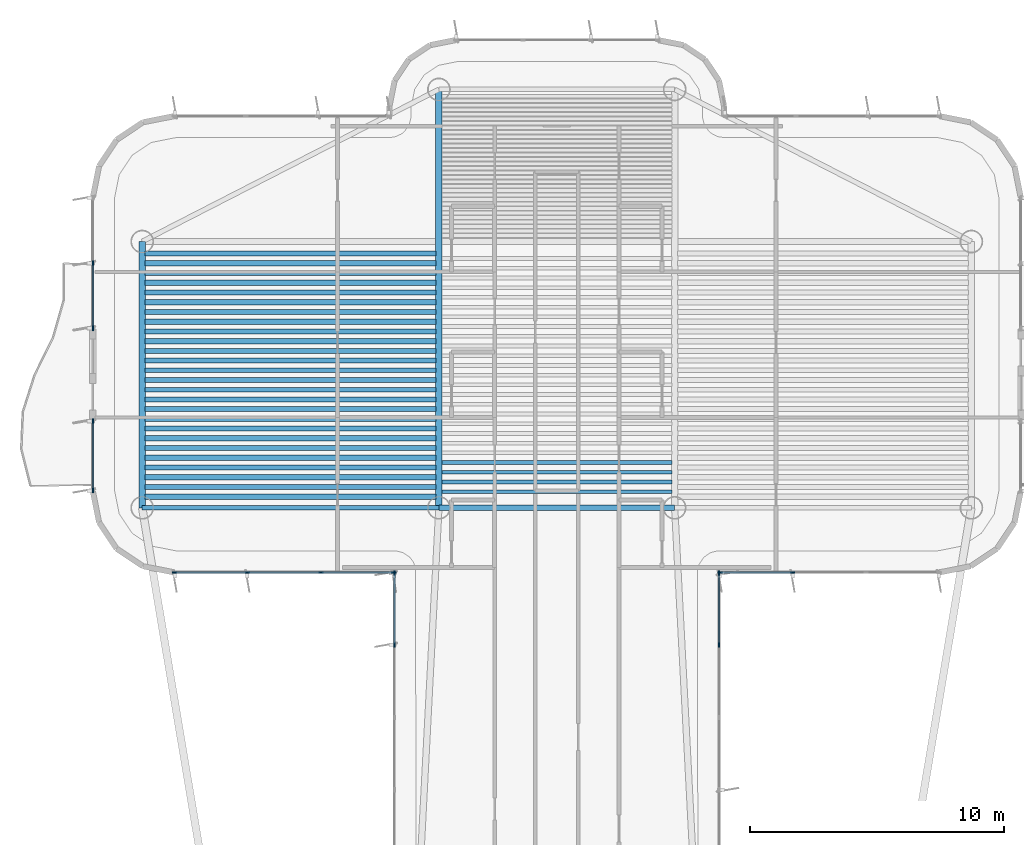
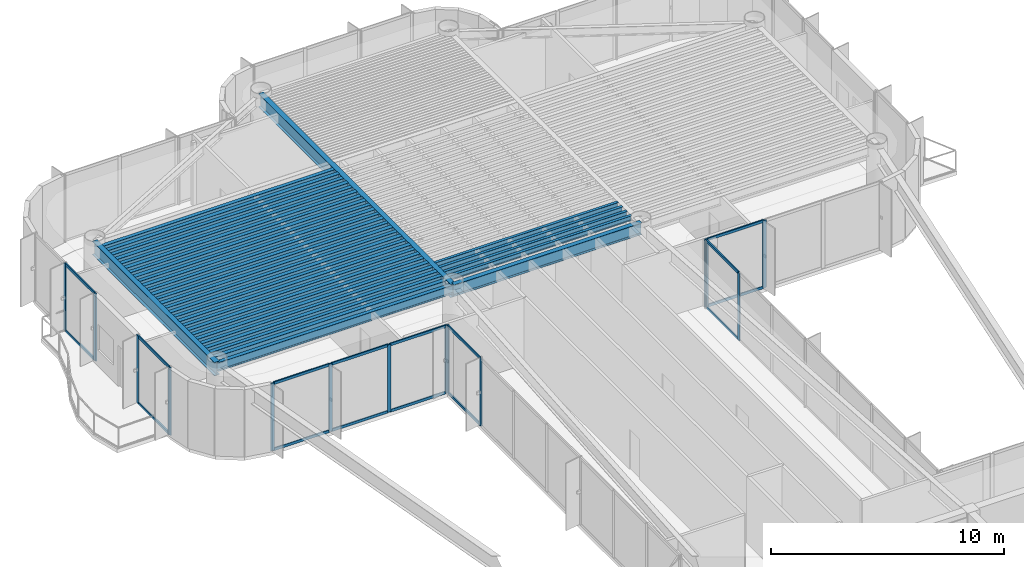
# One storey, part 5 of 16: 34 beams, 30 members, 6 elements without a shape of their own.
"""IFC4 building model written with IfcOpenShell, lengths in metres."""

from ifc_helpers import new_model, si_unit, direction, frame, origin, origin_2d, place, context, subcontext, project, spatial, rectangle, i_section, extrude, source, transform, mapped, material, layer, layer_set, material_profile, profile_set, type_object, element, aggregate, save


model = new_model("IFC4")

# Units and contexts
model_context = context("Model", 3, precision=1e-05, world=origin(), true_north=direction((0.0, 1.0)))
body_context = subcontext(model_context, "Body", "Model", "MODEL_VIEW")
ifc_project = project(units=[si_unit("LENGTHUNIT", "METRE"), si_unit("AREAUNIT", "SQUARE_METRE"), si_unit("VOLUMEUNIT", "CUBIC_METRE"), si_unit("PLANEANGLEUNIT", "RADIAN"), si_unit("MASSUNIT", "GRAM", prefix="KILO")], contexts=[model_context])

# Site, building, storey
site_placement = place(None, origin())
site = spatial("IfcSite", under=ifc_project, at=site_placement, CompositionType="ELEMENT")
building_placement = place(site_placement, origin())
building = spatial("IfcBuilding", under=site, at=building_placement, Name="Brelvock Crest Care Tower", CompositionType="ELEMENT")
storey_placement = place(building_placement, frame((0.0, 0.0, 238.139892578125)))
storey = spatial("IfcBuildingStorey", under=building, at=storey_placement, Name="L60", CompositionType="ELEMENT", Elevation=238.139892578125)

# Beams
ifc_material_1 = material(Name="Steel Grade 350", Category="steel")
ifc_material_profile_1 = material_profile(ifc_material_1, i_section(OverallWidth=0.25, OverallDepth=0.699951171875, WebThickness=0.011962890625, FlangeThickness=0.02001953125, at=origin_2d()), Name="700WB150")
ifc_profile_set_1 = profile_set([ifc_material_profile_1], Name="Steel Grade 350")
beam_type_1 = type_object("IfcBeamType", Name="BM-G4", PredefinedType="BEAM", material=ifc_profile_set_1)
shared_shape_1 = source(origin(), body_context, "Body", "SweptSolid", [
    extrude(i_section(OverallWidth=0.25, OverallDepth=0.699951171875, WebThickness=0.011962890625, FlangeThickness=0.02001953125, at=origin_2d()), origin(), (0.0, 0.0, 1.0), 10.5),
])
beam_1_placement = place(storey_placement, frame((19.64990234375, 43.949951171875, 3.18017578125), z_axis=(0.0, 1.0, 0.0), x_axis=(-1.0, 0.0, 0.0)))
element("IfcBeam", 1, at=beam_1_placement, inside=storey, type_object=beam_type_1, Name="BM-TWR-L60-01", PredefinedType="BEAM", context=body_context, shape_type="MappedRepresentation", body=[
    mapped(shared_shape_1, transform((0.0, 0.0, 0.0), x_axis=(1.0, 0.0, 0.0), y_axis=(0.0, 1.0, 0.0), z_axis=(0.0, 0.0, 1.0), scale=1.0)),
])
ifc_material_profile_2 = material_profile(ifc_material_1, i_section(OverallWidth=0.22900390625, OverallDepth=0.612060546875, WebThickness=0.011962890625, FlangeThickness=0.01953125, FilletRadius=0.013916015625, at=origin_2d()), Name="610UB125")
ifc_profile_set_2 = profile_set([ifc_material_profile_2], Name="Steel Grade 350")
beam_type_2 = type_object("IfcBeamType", Name="BM-G1", PredefinedType="BEAM", material=ifc_profile_set_2)
shared_shape_2 = source(origin(), body_context, "Body", "SweptSolid", [
    extrude(i_section(OverallWidth=0.22900390625, OverallDepth=0.612060546875, WebThickness=0.011962890625, FlangeThickness=0.01953125, FilletRadius=0.013916015625, at=origin_2d()), origin(), (0.0, 0.0, 1.0), 9.2998046875),
])
beam_2_placement = place(storey_placement, frame((31.35009765625, 43.949951171875, 3.22412109375), z_axis=(1.0, 0.0, 0.0), x_axis=(0.0, 1.0, 0.0)))
element("IfcBeam", 2, at=beam_2_placement, inside=storey, type_object=beam_type_2, Name="BM-TWR-L60-05", PredefinedType="BEAM", context=body_context, shape_type="MappedRepresentation", body=[
    mapped(shared_shape_2, transform((0.0, 0.0, 0.0), x_axis=(1.0, 0.0, 0.0), y_axis=(0.0, 1.0, 0.0), z_axis=(0.0, 0.0, 1.0), scale=1.0)),
])
ifc_material_profile_3 = material_profile(ifc_material_1, i_section(OverallWidth=0.14599609375, OverallDepth=0.256103515625, WebThickness=0.00634765625, FlangeThickness=0.010986328125, FilletRadius=0.0087890625, at=origin_2d()), Name="250UB37.3")
ifc_profile_set_3 = profile_set([ifc_material_profile_3], Name="Steel Grade 350")
beam_type_3 = type_object("IfcBeamType", Name="BM-J3", PredefinedType="JOIST", material=ifc_profile_set_3)
shared_shape_3 = source(origin(), body_context, "Body", "SweptSolid", [
    extrude(i_section(OverallWidth=0.14599609375, OverallDepth=0.256103515625, WebThickness=0.00634765625, FlangeThickness=0.010986328125, FilletRadius=0.0087890625, at=origin_2d()), origin(), (0.0, 0.0, 1.0), 9.06982421875),
])
for number, where, z_axis, x_axis, name in (
    (3, (31.465087890625, 44.58251953125, 3.402099609375), (1.0, 0.0, 0.0), (0.0, 1.0, 0.0), "BM-JH-L60-1"),
    (4, (31.465087890625, 44.9658203125, 3.402099609375), (1.0, 0.0, 0.0), (0.0, 1.0, 0.0), "BM-JH-L60-2"),
    (5, (31.465087890625, 45.34912109375, 3.402099609375), (1.0, 0.0, 0.0), (0.0, 1.0, 0.0), "BM-JH-L60-3"),
    (6, (31.465087890625, 45.732421875, 3.402099609375), (1.0, 0.0, 0.0), (0.0, 1.0, 0.0), "BM-JH-L60-4"),
):
    element("IfcBeam", number, at=place(storey_placement, frame(where, z_axis=z_axis, x_axis=x_axis)), inside=storey, type_object=beam_type_3, Name=name, PredefinedType="JOIST", context=body_context, shape_type="MappedRepresentation", body=[
        mapped(shared_shape_3, transform((0.0, 0.0, 0.0), x_axis=(1.0, 0.0, 0.0), y_axis=(0.0, 1.0, 0.0), z_axis=(0.0, 0.0, 1.0), scale=1.0)),
    ])
ifc_material_profile_4 = material_profile(ifc_material_1, i_section(OverallWidth=0.19091796875, OverallDepth=0.4599609375, WebThickness=0.010009765625, FlangeThickness=0.01611328125, FilletRadius=0.011474609375, at=origin_2d()), Name="460UB82.1")
ifc_profile_set_4 = profile_set([ifc_material_profile_4], Name="Steel Grade 350")
beam_type_4 = type_object("IfcBeamType", Name="BM-G3", PredefinedType="BEAM", material=ifc_profile_set_4)
shared_shape_4 = source(origin(), body_context, "Body", "SweptSolid", [
    extrude(i_section(OverallWidth=0.19091796875, OverallDepth=0.4599609375, WebThickness=0.010009765625, FlangeThickness=0.01611328125, FilletRadius=0.011474609375, at=origin_2d()), origin(), (0.0, 0.0, 1.0), 11.47021484375),
])
for number, where, z_axis, x_axis, name in (
    (7, (19.764892578125, 44.7744140625, 3.300048828125), (1.0, 0.0, 0.0), (0.0, 1.0, 0.0), "BM-JW-L60-2"),
    (8, (19.764892578125, 45.540771484375, 3.300048828125), (1.0, 0.0, 0.0), (0.0, 1.0, 0.0), "BM-JW-L60-4"),
    (9, (19.764892578125, 46.307373046875, 3.300048828125), (1.0, 0.0, 0.0), (0.0, 1.0, 0.0), "BM-JW-L60-6"),
    (10, (19.764892578125, 47.07373046875, 3.300048828125), (1.0, 0.0, 0.0), (0.0, 1.0, 0.0), "BM-JW-L60-8"),
    (11, (19.764892578125, 47.84033203125, 3.300048828125), (1.0, 0.0, 0.0), (0.0, 1.0, 0.0), "BM-JW-L60-10"),
    (12, (19.764892578125, 48.606689453125, 3.300048828125), (1.0, 0.0, 0.0), (0.0, 1.0, 0.0), "BM-JW-L60-12"),
    (13, (19.764892578125, 49.373291015625, 3.300048828125), (1.0, 0.0, 0.0), (0.0, 1.0, 0.0), "BM-JW-L60-14"),
    (14, (19.764892578125, 50.139892578125, 3.300048828125), (1.0, 0.0, 0.0), (0.0, 1.0, 0.0), "BM-JW-L60-16"),
    (15, (19.764892578125, 50.90625, 3.300048828125), (1.0, 0.0, 0.0), (0.0, 1.0, 0.0), "BM-JW-L60-18"),
    (16, (19.764892578125, 51.6728515625, 3.300048828125), (1.0, 0.0, 0.0), (0.0, 1.0, 0.0), "BM-JW-L60-20"),
    (17, (19.764892578125, 52.439208984375, 3.300048828125), (1.0, 0.0, 0.0), (0.0, 1.0, 0.0), "BM-JW-L60-22"),
    (18, (19.764892578125, 53.205810546875, 3.300048828125), (1.0, 0.0, 0.0), (0.0, 1.0, 0.0), "BM-JW-L60-24"),
    (19, (19.764892578125, 53.972412109375, 3.300048828125), (1.0, 0.0, 0.0), (0.0, 1.0, 0.0), "BM-JW-L60-26"),
):
    element("IfcBeam", number, at=place(storey_placement, frame(where, z_axis=z_axis, x_axis=x_axis)), inside=storey, type_object=beam_type_4, Name=name, PredefinedType="BEAM", context=body_context, shape_type="MappedRepresentation", body=[
        mapped(shared_shape_4, transform((0.0, 0.0, 0.0), x_axis=(1.0, 0.0, 0.0), y_axis=(0.0, 1.0, 0.0), z_axis=(0.0, 0.0, 1.0), scale=1.0)),
    ])
ifc_material_profile_5 = material_profile(ifc_material_1, i_section(OverallWidth=0.208984375, OverallDepth=0.532958984375, WebThickness=0.01025390625, FlangeThickness=0.015625, FilletRadius=0.013916015625, at=origin_2d()), Name="530UB92.4")
ifc_profile_set_5 = profile_set([ifc_material_profile_5], Name="Steel Grade 350")
beam_type_5 = type_object("IfcBeamType", Name="BM-G2", PredefinedType="BEAM", material=ifc_profile_set_5)
shared_shape_5 = source(origin(), body_context, "Body", "SweptSolid", [
    extrude(i_section(OverallWidth=0.208984375, OverallDepth=0.532958984375, WebThickness=0.01025390625, FlangeThickness=0.015625, FilletRadius=0.013916015625, at=origin_2d()), origin(), (0.0, 0.0, 1.0), 11.47021484375),
])
for number, where, z_axis, x_axis, name in (
    (20, (19.764892578125, 44.39111328125, 3.263671875), (1.0, 0.0, 0.0), (0.0, 1.0, 0.0), "BM-JW-L60-1"),
    (21, (19.764892578125, 45.157470703125, 3.263671875), (1.0, 0.0, 0.0), (0.0, 1.0, 0.0), "BM-JW-L60-3"),
    (22, (19.764892578125, 45.924072265625, 3.263671875), (1.0, 0.0, 0.0), (0.0, 1.0, 0.0), "BM-JW-L60-5"),
    (23, (19.764892578125, 46.6904296875, 3.263671875), (1.0, 0.0, 0.0), (0.0, 1.0, 0.0), "BM-JW-L60-7"),
    (24, (19.764892578125, 47.45703125, 3.263671875), (1.0, 0.0, 0.0), (0.0, 1.0, 0.0), "BM-JW-L60-9"),
    (25, (19.764892578125, 48.223388671875, 3.263671875), (1.0, 0.0, 0.0), (0.0, 1.0, 0.0), "BM-JW-L60-11"),
    (26, (19.764892578125, 48.989990234375, 3.263671875), (1.0, 0.0, 0.0), (0.0, 1.0, 0.0), "BM-JW-L60-13"),
    (27, (19.764892578125, 49.756591796875, 3.263671875), (1.0, 0.0, 0.0), (0.0, 1.0, 0.0), "BM-JW-L60-15"),
    (28, (19.764892578125, 50.52294921875, 3.263671875), (1.0, 0.0, 0.0), (0.0, 1.0, 0.0), "BM-JW-L60-17"),
    (29, (19.764892578125, 51.28955078125, 3.263671875), (1.0, 0.0, 0.0), (0.0, 1.0, 0.0), "BM-JW-L60-19"),
    (30, (19.764892578125, 52.055908203125, 3.263671875), (1.0, 0.0, 0.0), (0.0, 1.0, 0.0), "BM-JW-L60-21"),
    (31, (19.764892578125, 52.822509765625, 3.263671875), (1.0, 0.0, 0.0), (0.0, 1.0, 0.0), "BM-JW-L60-23"),
    (32, (19.764892578125, 53.589111328125, 3.263671875), (1.0, 0.0, 0.0), (0.0, 1.0, 0.0), "BM-JW-L60-25"),
):
    element("IfcBeam", number, at=place(storey_placement, frame(where, z_axis=z_axis, x_axis=x_axis)), inside=storey, type_object=beam_type_5, Name=name, PredefinedType="BEAM", context=body_context, shape_type="MappedRepresentation", body=[
        mapped(shared_shape_5, transform((0.0, 0.0, 0.0), x_axis=(1.0, 0.0, 0.0), y_axis=(0.0, 1.0, 0.0), z_axis=(0.0, 0.0, 1.0), scale=1.0)),
    ])
ifc_material_profile_6 = material_profile(ifc_material_1, i_section(OverallWidth=0.19091796875, OverallDepth=0.4599609375, WebThickness=0.010009765625, FlangeThickness=0.01611328125, FilletRadius=0.011474609375, at=origin_2d()), Name="460UB82.1")
ifc_profile_set_6 = profile_set([ifc_material_profile_6], Name="Steel Grade 350")
beam_type_6 = type_object("IfcBeamType", Name="BM-SP2", PredefinedType="SPANDREL", material=ifc_profile_set_6)
shared_shape_6 = source(origin(), body_context, "Body", "SweptSolid", [
    extrude(i_section(OverallWidth=0.19091796875, OverallDepth=0.4599609375, WebThickness=0.010009765625, FlangeThickness=0.01611328125, FilletRadius=0.011474609375, at=origin_2d()), origin(), (0.0, 0.0, 1.0), 11.7001953125),
])
beam_3_placement = place(storey_placement, frame((19.64990234375, 43.949951171875, 3.300048828125), z_axis=(1.0, 0.0, 0.0), x_axis=(0.0, 1.0, 0.0)))
element("IfcBeam", 33, at=beam_3_placement, inside=storey, type_object=beam_type_6, Name="BM-TWR-L60-03", PredefinedType="SPANDREL", context=body_context, shape_type="MappedRepresentation", body=[
    mapped(shared_shape_6, transform((0.0, 0.0, 0.0), x_axis=(1.0, 0.0, 0.0), y_axis=(0.0, 1.0, 0.0), z_axis=(0.0, 0.0, 1.0), scale=1.0)),
])
shared_shape_7 = source(origin(), body_context, "Body", "SweptSolid", [
    extrude(i_section(OverallWidth=0.25, OverallDepth=0.699951171875, WebThickness=0.011962890625, FlangeThickness=0.02001953125, at=origin_2d()), origin(), (0.0, 0.0, 1.0), 16.5),
])
beam_4_placement = place(storey_placement, frame((31.35009765625, 43.949951171875, 3.18017578125), z_axis=(0.0, 1.0, 0.0), x_axis=(-1.0, 0.0, 0.0)))
element("IfcBeam", 34, at=beam_4_placement, inside=storey, type_object=beam_type_1, Name="BM-TWR-L60-09", PredefinedType="BEAM", context=body_context, shape_type="MappedRepresentation", body=[
    mapped(shared_shape_7, transform((0.0, 0.0, 0.0), x_axis=(1.0, 0.0, 0.0), y_axis=(0.0, 1.0, 0.0), z_axis=(0.0, 0.0, 1.0), scale=1.0)),
])

# Curtain wall, members
ifc_material_2 = material(Name="Dark Glass Double Glazed Low-E", Category="glass")
ifc_layer = layer(ifc_material_2, 0.239990234375, Name="CWS-5")
ifc_layer_set = layer_set([ifc_layer], Name="Dark Glass Double Glazed Low-E")
curtain_wall_type = type_object("IfcCurtainWallType", Name="CWS-5", PredefinedType="NOTDEFINED", material=ifc_layer_set)
curtain_wall_1_placement = place(storey_placement, origin())
curtain_wall_1 = element("IfcCurtainWall", 35, at=curtain_wall_1_placement, inside=storey, type_object=curtain_wall_type, Name="L60 Curtain Wall E11", PredefinedType="NOTDEFINED")
ifc_material_3 = material(Name="Aluminium 6063-T6", Category="aluminium")
ifc_material_profile_7 = material_profile(ifc_material_3, rectangle(XDim=0.06005859375, YDim=0.179931640625, at=origin_2d()), Name="ALU60x180")
ifc_profile_set_7 = profile_set([ifc_material_profile_7], Name="Aluminium 6063-T6")
member_type_1 = type_object("IfcMemberType", Name="CWM-2", PredefinedType="MULLION", material=ifc_profile_set_7)
shared_shape_8 = source(origin(), body_context, "Body", "SweptSolid", [
    extrude(rectangle(XDim=0.06005859375, YDim=0.179931640625, at=origin_2d()), origin(), (0.0, 0.0, 1.0), 3.530029296875),
])
member_1_placement = place(storey_placement, frame((29.60009765625, 38.54296875, 0.0), z_axis=(0.0, 0.0, 1.0), x_axis=(-1.0, 0.0, 0.0)))
member_1 = element("IfcMember", 36, at=member_1_placement, type_object=member_type_1, Name="CW-5 mullion 7", PredefinedType="MULLION", context=body_context, shape_type="MappedRepresentation", body=[
    mapped(shared_shape_8, transform((0.0, 0.0, 0.0), x_axis=(1.0, 0.0, 0.0), y_axis=(0.0, 1.0, 0.0), z_axis=(0.0, 0.0, 1.0), scale=1.0)),
])
member_2_placement = place(storey_placement, frame((29.60009765625, 41.3701171875, 0.0), z_axis=(0.0, 0.0, 1.0), x_axis=(-1.0, 0.0, 0.0)))
member_2 = element("IfcMember", 37, at=member_2_placement, type_object=member_type_1, Name="CW-5 mullion 8", PredefinedType="MULLION", context=body_context, shape_type="MappedRepresentation", body=[
    mapped(shared_shape_8, transform((0.0, 0.0, 0.0), x_axis=(1.0, 0.0, 0.0), y_axis=(0.0, 1.0, 0.0), z_axis=(0.0, 0.0, 1.0), scale=1.0)),
])

curtain_wall_2_placement = place(storey_placement, origin())
curtain_wall_2 = element("IfcCurtainWall", 38, at=curtain_wall_2_placement, inside=storey, type_object=curtain_wall_type, Name="L60 Curtain Wall E12", PredefinedType="NOTDEFINED")
member_3_placement = place(storey_placement, frame((29.570068359375, 41.39990234375, 0.0), z_axis=(0.0, 0.0, 1.0), x_axis=(0.0, -1.0, 0.0)))
member_3 = element("IfcMember", 39, at=member_3_placement, type_object=member_type_1, Name="CW-5 mullion 1", PredefinedType="MULLION", context=body_context, shape_type="MappedRepresentation", body=[
    mapped(shared_shape_8, transform((0.0, 0.0, 0.0), x_axis=(1.0, 0.0, 0.0), y_axis=(0.0, 1.0, 0.0), z_axis=(0.0, 0.0, 1.0), scale=1.0)),
])
member_4_placement = place(storey_placement, frame((26.699951171875, 41.39990234375, 0.0), z_axis=(0.0, 0.0, 1.0), x_axis=(0.0, -1.0, 0.0)))
member_4 = element("IfcMember", 40, at=member_4_placement, type_object=member_type_1, Name="CW-5 mullion 2", PredefinedType="MULLION", context=body_context, shape_type="MappedRepresentation", body=[
    mapped(shared_shape_8, transform((0.0, 0.0, 0.0), x_axis=(1.0, 0.0, 0.0), y_axis=(0.0, 1.0, 0.0), z_axis=(0.0, 0.0, 1.0), scale=1.0)),
])
member_5_placement = place(storey_placement, frame((23.800048828125, 41.39990234375, 0.0), z_axis=(0.0, 0.0, 1.0), x_axis=(0.0, -1.0, 0.0)))
member_5 = element("IfcMember", 41, at=member_5_placement, type_object=member_type_1, Name="CW-5 mullion 3", PredefinedType="MULLION", context=body_context, shape_type="MappedRepresentation", body=[
    mapped(shared_shape_8, transform((0.0, 0.0, 0.0), x_axis=(1.0, 0.0, 0.0), y_axis=(0.0, 1.0, 0.0), z_axis=(0.0, 0.0, 1.0), scale=1.0)),
])
member_6_placement = place(storey_placement, frame((20.929931640625, 41.39990234375, 0.0), z_axis=(0.0, 0.0, 1.0), x_axis=(0.0, -1.0, 0.0)))
member_6 = element("IfcMember", 42, at=member_6_placement, type_object=member_type_1, Name="CW-5 mullion 4", PredefinedType="MULLION", context=body_context, shape_type="MappedRepresentation", body=[
    mapped(shared_shape_8, transform((0.0, 0.0, 0.0), x_axis=(1.0, 0.0, 0.0), y_axis=(0.0, 1.0, 0.0), z_axis=(0.0, 0.0, 1.0), scale=1.0)),
])

curtain_wall_3_placement = place(storey_placement, origin())
curtain_wall_3 = element("IfcCurtainWall", 43, at=curtain_wall_3_placement, inside=storey, type_object=curtain_wall_type, Name="L60 Curtain Wall E17A", PredefinedType="NOTDEFINED")
member_7_placement = place(storey_placement, frame((17.699951171875, 44.6298828125, 0.0), z_axis=(0.0, 0.0, 1.0), x_axis=(-1.0, 0.0, 0.0)))
member_7 = element("IfcMember", 44, at=member_7_placement, type_object=member_type_1, Name="CW-5 mullion 1", PredefinedType="MULLION", context=body_context, shape_type="MappedRepresentation", body=[
    mapped(shared_shape_8, transform((0.0, 0.0, 0.0), x_axis=(1.0, 0.0, 0.0), y_axis=(0.0, 1.0, 0.0), z_axis=(0.0, 0.0, 1.0), scale=1.0)),
])
member_8_placement = place(storey_placement, frame((17.699951171875, 47.3701171875, 0.0), z_axis=(0.0, 0.0, 1.0), x_axis=(-1.0, 0.0, 0.0)))
member_8 = element("IfcMember", 45, at=member_8_placement, type_object=member_type_1, Name="CW-5 mullion 2", PredefinedType="MULLION", context=body_context, shape_type="MappedRepresentation", body=[
    mapped(shared_shape_8, transform((0.0, 0.0, 0.0), x_axis=(1.0, 0.0, 0.0), y_axis=(0.0, 1.0, 0.0), z_axis=(0.0, 0.0, 1.0), scale=1.0)),
])

curtain_wall_4_placement = place(storey_placement, origin())
curtain_wall_4 = element("IfcCurtainWall", 46, at=curtain_wall_4_placement, inside=storey, type_object=curtain_wall_type, Name="L60 Curtain Wall E17B", PredefinedType="NOTDEFINED")
member_9_placement = place(storey_placement, frame((17.699951171875, 51.030029296875, 0.0), z_axis=(0.0, 0.0, 1.0), x_axis=(-1.0, 0.0, 0.0)))
member_9 = element("IfcMember", 47, at=member_9_placement, type_object=member_type_1, Name="CW-5 mullion 1", PredefinedType="MULLION", context=body_context, shape_type="MappedRepresentation", body=[
    mapped(shared_shape_8, transform((0.0, 0.0, 0.0), x_axis=(1.0, 0.0, 0.0), y_axis=(0.0, 1.0, 0.0), z_axis=(0.0, 0.0, 1.0), scale=1.0)),
])
member_10_placement = place(storey_placement, frame((17.699951171875, 53.60009765625, 0.0), z_axis=(0.0, 0.0, 1.0), x_axis=(-1.0, 0.0, 0.0)))
member_10 = element("IfcMember", 48, at=member_10_placement, type_object=member_type_1, Name="CW-5 mullion 2", PredefinedType="MULLION", context=body_context, shape_type="MappedRepresentation", body=[
    mapped(shared_shape_8, transform((0.0, 0.0, 0.0), x_axis=(1.0, 0.0, 0.0), y_axis=(0.0, 1.0, 0.0), z_axis=(0.0, 0.0, 1.0), scale=1.0)),
])

curtain_wall_5_placement = place(storey_placement, origin())
curtain_wall_5 = element("IfcCurtainWall", 49, at=curtain_wall_5_placement, inside=storey, type_object=curtain_wall_type, Name="L60 Curtain Wall E44", PredefinedType="NOTDEFINED")
member_11_placement = place(storey_placement, frame((45.300048828125, 41.39990234375, 0.0), z_axis=(0.0, 0.0, 1.0), x_axis=(0.0, -1.0, 0.0)))
member_11 = element("IfcMember", 50, at=member_11_placement, type_object=member_type_1, Name="CW-5 mullion 3", PredefinedType="MULLION", context=body_context, shape_type="MappedRepresentation", body=[
    mapped(shared_shape_8, transform((0.0, 0.0, 0.0), x_axis=(1.0, 0.0, 0.0), y_axis=(0.0, 1.0, 0.0), z_axis=(0.0, 0.0, 1.0), scale=1.0)),
])
member_12_placement = place(storey_placement, frame((42.429931640625, 41.39990234375, 0.0), z_axis=(0.0, 0.0, 1.0), x_axis=(0.0, -1.0, 0.0)))
member_12 = element("IfcMember", 51, at=member_12_placement, type_object=member_type_1, Name="CW-5 mullion 4", PredefinedType="MULLION", context=body_context, shape_type="MappedRepresentation", body=[
    mapped(shared_shape_8, transform((0.0, 0.0, 0.0), x_axis=(1.0, 0.0, 0.0), y_axis=(0.0, 1.0, 0.0), z_axis=(0.0, 0.0, 1.0), scale=1.0)),
])

curtain_wall_6_placement = place(storey_placement, origin())
curtain_wall_6 = element("IfcCurtainWall", 52, at=curtain_wall_6_placement, inside=storey, type_object=curtain_wall_type, Name="L60 Curtain Wall E45", PredefinedType="NOTDEFINED")
member_13_placement = place(storey_placement, frame((42.39990234375, 41.3701171875, 0.0), z_axis=(0.0, 0.0, 1.0), x_axis=(1.0, 0.0, 0.0)))
member_13 = element("IfcMember", 53, at=member_13_placement, type_object=member_type_1, Name="CW-5 mullion 1", PredefinedType="MULLION", context=body_context, shape_type="MappedRepresentation", body=[
    mapped(shared_shape_8, transform((0.0, 0.0, 0.0), x_axis=(1.0, 0.0, 0.0), y_axis=(0.0, 1.0, 0.0), z_axis=(0.0, 0.0, 1.0), scale=1.0)),
])
member_14_placement = place(storey_placement, frame((42.39990234375, 38.54296875, 0.0), z_axis=(0.0, 0.0, 1.0), x_axis=(1.0, 0.0, 0.0)))
member_14 = element("IfcMember", 54, at=member_14_placement, type_object=member_type_1, Name="CW-5 mullion 2", PredefinedType="MULLION", context=body_context, shape_type="MappedRepresentation", body=[
    mapped(shared_shape_8, transform((0.0, 0.0, 0.0), x_axis=(1.0, 0.0, 0.0), y_axis=(0.0, 1.0, 0.0), z_axis=(0.0, 0.0, 1.0), scale=1.0)),
])

# Member
ifc_material_profile_8 = material_profile(ifc_material_3, rectangle(XDim=0.06005859375, YDim=0.139892578125, at=origin_2d()), Name="ALU60x140")
ifc_profile_set_8 = profile_set([ifc_material_profile_8], Name="Aluminium 6063-T6")
member_type_2 = type_object("IfcMemberType", Name="CWT-2", PredefinedType="USERDEFINED", material=ifc_profile_set_8)
shared_shape_9 = source(origin(), body_context, "Body", "SweptSolid", [
    extrude(rectangle(XDim=0.06005859375, YDim=0.139892578125, at=origin_2d()), origin(), (0.0, 0.0, 1.0), 2.510009765625),
])
member_15_placement = place(storey_placement, frame((17.699951171875, 51.06005859375, 0.030029296875), z_axis=(0.0, 1.0, 0.0), x_axis=(-1.0, 0.0, 0.0)))
member_15 = element("IfcMember", 55, at=member_15_placement, type_object=member_type_2, Name="CW-5 transom 1.1", ObjectType="TRANSOM", PredefinedType="USERDEFINED", context=body_context, shape_type="MappedRepresentation", body=[
    mapped(shared_shape_9, transform((0.0, 0.0, 0.0), x_axis=(1.0, 0.0, 0.0), y_axis=(0.0, 1.0, 0.0), z_axis=(0.0, 0.0, 1.0), scale=1.0)),
])

member_16_placement = place(storey_placement, frame((17.699951171875, 51.06005859375, 3.5), z_axis=(0.0, 1.0, 0.0), x_axis=(-1.0, 0.0, 0.0)))
member_16 = element("IfcMember", 56, at=member_16_placement, type_object=member_type_2, Name="CW-5 transom 1.2", ObjectType="TRANSOM", PredefinedType="USERDEFINED", context=body_context, shape_type="MappedRepresentation", body=[
    mapped(shared_shape_9, transform((0.0, 0.0, 0.0), x_axis=(1.0, 0.0, 0.0), y_axis=(0.0, 1.0, 0.0), z_axis=(0.0, 0.0, 1.0), scale=1.0)),
])

aggregate(curtain_wall_4, [member_9, member_10, member_15, member_16])

shared_shape_10 = source(origin(), body_context, "Body", "SweptSolid", [
    extrude(rectangle(XDim=0.06005859375, YDim=0.139892578125, at=origin_2d()), origin(), (0.0, 0.0, 1.0), 2.767333984375),
])
member_17_placement = place(storey_placement, frame((29.60009765625, 38.57275390625, 0.030029296875), z_axis=(0.0, 1.0, 0.0), x_axis=(-1.0, 0.0, 0.0)))
member_17 = element("IfcMember", 57, at=member_17_placement, type_object=member_type_2, Name="CW-5 transom 7.1", ObjectType="TRANSOM", PredefinedType="USERDEFINED", context=body_context, shape_type="MappedRepresentation", body=[
    mapped(shared_shape_10, transform((0.0, 0.0, 0.0), x_axis=(1.0, 0.0, 0.0), y_axis=(0.0, 1.0, 0.0), z_axis=(0.0, 0.0, 1.0), scale=1.0)),
])

member_18_placement = place(storey_placement, frame((29.60009765625, 38.57275390625, 3.5), z_axis=(0.0, 1.0, 0.0), x_axis=(-1.0, 0.0, 0.0)))
member_18 = element("IfcMember", 58, at=member_18_placement, type_object=member_type_2, Name="CW-5 transom 7.2", ObjectType="TRANSOM", PredefinedType="USERDEFINED", context=body_context, shape_type="MappedRepresentation", body=[
    mapped(shared_shape_10, transform((0.0, 0.0, 0.0), x_axis=(1.0, 0.0, 0.0), y_axis=(0.0, 1.0, 0.0), z_axis=(0.0, 0.0, 1.0), scale=1.0)),
])

aggregate(curtain_wall_1, [member_1, member_2, member_17, member_18])

member_19_placement = place(storey_placement, frame((42.39990234375, 41.340087890625, 0.030029296875), z_axis=(0.0, -1.0, 0.0), x_axis=(1.0, 0.0, 0.0)))
member_19 = element("IfcMember", 59, at=member_19_placement, type_object=member_type_2, Name="CW-5 transom 1.1", ObjectType="TRANSOM", PredefinedType="USERDEFINED", context=body_context, shape_type="MappedRepresentation", body=[
    mapped(shared_shape_10, transform((0.0, 0.0, 0.0), x_axis=(1.0, 0.0, 0.0), y_axis=(0.0, 1.0, 0.0), z_axis=(0.0, 0.0, 1.0), scale=1.0)),
])

member_20_placement = place(storey_placement, frame((42.39990234375, 41.340087890625, 3.5), z_axis=(0.0, -1.0, 0.0), x_axis=(1.0, 0.0, 0.0)))
member_20 = element("IfcMember", 60, at=member_20_placement, type_object=member_type_2, Name="CW-5 transom 1.2", ObjectType="TRANSOM", PredefinedType="USERDEFINED", context=body_context, shape_type="MappedRepresentation", body=[
    mapped(shared_shape_10, transform((0.0, 0.0, 0.0), x_axis=(1.0, 0.0, 0.0), y_axis=(0.0, 1.0, 0.0), z_axis=(0.0, 0.0, 1.0), scale=1.0)),
])

aggregate(curtain_wall_6, [member_13, member_14, member_19, member_20])

shared_shape_11 = source(origin(), body_context, "Body", "SweptSolid", [
    extrude(rectangle(XDim=0.06005859375, YDim=0.139892578125, at=origin_2d()), origin(), (0.0, 0.0, 1.0), 2.81005859375),
])
member_21_placement = place(storey_placement, frame((29.5400390625, 41.39990234375, 0.030029296875), z_axis=(-1.0, 0.0, 0.0), x_axis=(0.0, -1.0, 0.0)))
member_21 = element("IfcMember", 61, at=member_21_placement, type_object=member_type_2, Name="CW-5 transom 1.1", ObjectType="TRANSOM", PredefinedType="USERDEFINED", context=body_context, shape_type="MappedRepresentation", body=[
    mapped(shared_shape_11, transform((0.0, 0.0, 0.0), x_axis=(1.0, 0.0, 0.0), y_axis=(0.0, 1.0, 0.0), z_axis=(0.0, 0.0, 1.0), scale=1.0)),
])

member_22_placement = place(storey_placement, frame((29.5400390625, 41.39990234375, 3.5), z_axis=(-1.0, 0.0, 0.0), x_axis=(0.0, -1.0, 0.0)))
member_22 = element("IfcMember", 62, at=member_22_placement, type_object=member_type_2, Name="CW-5 transom 1.2", ObjectType="TRANSOM", PredefinedType="USERDEFINED", context=body_context, shape_type="MappedRepresentation", body=[
    mapped(shared_shape_11, transform((0.0, 0.0, 0.0), x_axis=(1.0, 0.0, 0.0), y_axis=(0.0, 1.0, 0.0), z_axis=(0.0, 0.0, 1.0), scale=1.0)),
])

member_23_placement = place(storey_placement, frame((23.77001953125, 41.39990234375, 0.030029296875), z_axis=(-1.0, 0.0, 0.0), x_axis=(0.0, -1.0, 0.0)))
member_23 = element("IfcMember", 63, at=member_23_placement, type_object=member_type_2, Name="CW-5 transom 3.1", ObjectType="TRANSOM", PredefinedType="USERDEFINED", context=body_context, shape_type="MappedRepresentation", body=[
    mapped(shared_shape_11, transform((0.0, 0.0, 0.0), x_axis=(1.0, 0.0, 0.0), y_axis=(0.0, 1.0, 0.0), z_axis=(0.0, 0.0, 1.0), scale=1.0)),
])

member_24_placement = place(storey_placement, frame((23.77001953125, 41.39990234375, 3.5), z_axis=(-1.0, 0.0, 0.0), x_axis=(0.0, -1.0, 0.0)))
member_24 = element("IfcMember", 64, at=member_24_placement, type_object=member_type_2, Name="CW-5 transom 3.2", ObjectType="TRANSOM", PredefinedType="USERDEFINED", context=body_context, shape_type="MappedRepresentation", body=[
    mapped(shared_shape_11, transform((0.0, 0.0, 0.0), x_axis=(1.0, 0.0, 0.0), y_axis=(0.0, 1.0, 0.0), z_axis=(0.0, 0.0, 1.0), scale=1.0)),
])

member_25_placement = place(storey_placement, frame((45.27001953125, 41.39990234375, 0.030029296875), z_axis=(-1.0, 0.0, 0.0), x_axis=(0.0, -1.0, 0.0)))
member_25 = element("IfcMember", 65, at=member_25_placement, type_object=member_type_2, Name="CW-5 transom 3.1", ObjectType="TRANSOM", PredefinedType="USERDEFINED", context=body_context, shape_type="MappedRepresentation", body=[
    mapped(shared_shape_11, transform((0.0, 0.0, 0.0), x_axis=(1.0, 0.0, 0.0), y_axis=(0.0, 1.0, 0.0), z_axis=(0.0, 0.0, 1.0), scale=1.0)),
])

member_26_placement = place(storey_placement, frame((45.27001953125, 41.39990234375, 3.5), z_axis=(-1.0, 0.0, 0.0), x_axis=(0.0, -1.0, 0.0)))
member_26 = element("IfcMember", 66, at=member_26_placement, type_object=member_type_2, Name="CW-5 transom 3.2", ObjectType="TRANSOM", PredefinedType="USERDEFINED", context=body_context, shape_type="MappedRepresentation", body=[
    mapped(shared_shape_11, transform((0.0, 0.0, 0.0), x_axis=(1.0, 0.0, 0.0), y_axis=(0.0, 1.0, 0.0), z_axis=(0.0, 0.0, 1.0), scale=1.0)),
])

aggregate(curtain_wall_5, [member_11, member_12, member_25, member_26])

shared_shape_12 = source(origin(), body_context, "Body", "SweptSolid", [
    extrude(rectangle(XDim=0.06005859375, YDim=0.139892578125, at=origin_2d()), origin(), (0.0, 0.0, 1.0), 2.83984375),
])
member_27_placement = place(storey_placement, frame((26.669921875, 41.39990234375, 0.030029296875), z_axis=(-1.0, 0.0, 0.0), x_axis=(0.0, -1.0, 0.0)))
member_27 = element("IfcMember", 67, at=member_27_placement, type_object=member_type_2, Name="CW-5 transom 2.1", ObjectType="TRANSOM", PredefinedType="USERDEFINED", context=body_context, shape_type="MappedRepresentation", body=[
    mapped(shared_shape_12, transform((0.0, 0.0, 0.0), x_axis=(1.0, 0.0, 0.0), y_axis=(0.0, 1.0, 0.0), z_axis=(0.0, 0.0, 1.0), scale=1.0)),
])

member_28_placement = place(storey_placement, frame((26.669921875, 41.39990234375, 3.5), z_axis=(-1.0, 0.0, 0.0), x_axis=(0.0, -1.0, 0.0)))
member_28 = element("IfcMember", 68, at=member_28_placement, type_object=member_type_2, Name="CW-5 transom 2.2", ObjectType="TRANSOM", PredefinedType="USERDEFINED", context=body_context, shape_type="MappedRepresentation", body=[
    mapped(shared_shape_12, transform((0.0, 0.0, 0.0), x_axis=(1.0, 0.0, 0.0), y_axis=(0.0, 1.0, 0.0), z_axis=(0.0, 0.0, 1.0), scale=1.0)),
])

aggregate(curtain_wall_2, [member_3, member_4, member_5, member_6, member_21, member_22, member_27, member_28, member_23, member_24])

shared_shape_13 = source(origin(), body_context, "Body", "SweptSolid", [
    extrude(rectangle(XDim=0.06005859375, YDim=0.139892578125, at=origin_2d()), origin(), (0.0, 0.0, 1.0), 2.68017578125),
])
member_29_placement = place(storey_placement, frame((17.699951171875, 44.659912109375, 0.030029296875), z_axis=(0.0, 1.0, 0.0), x_axis=(-1.0, 0.0, 0.0)))
member_29 = element("IfcMember", 69, at=member_29_placement, type_object=member_type_2, Name="CW-5 transom 1.1", ObjectType="TRANSOM", PredefinedType="USERDEFINED", context=body_context, shape_type="MappedRepresentation", body=[
    mapped(shared_shape_13, transform((0.0, 0.0, 0.0), x_axis=(1.0, 0.0, 0.0), y_axis=(0.0, 1.0, 0.0), z_axis=(0.0, 0.0, 1.0), scale=1.0)),
])

member_30_placement = place(storey_placement, frame((17.699951171875, 44.659912109375, 3.5), z_axis=(0.0, 1.0, 0.0), x_axis=(-1.0, 0.0, 0.0)))
member_30 = element("IfcMember", 70, at=member_30_placement, type_object=member_type_2, Name="CW-5 transom 1.2", ObjectType="TRANSOM", PredefinedType="USERDEFINED", context=body_context, shape_type="MappedRepresentation", body=[
    mapped(shared_shape_13, transform((0.0, 0.0, 0.0), x_axis=(1.0, 0.0, 0.0), y_axis=(0.0, 1.0, 0.0), z_axis=(0.0, 0.0, 1.0), scale=1.0)),
])

aggregate(curtain_wall_3, [member_7, member_8, member_29, member_30])

save(model, "model.ifc")
